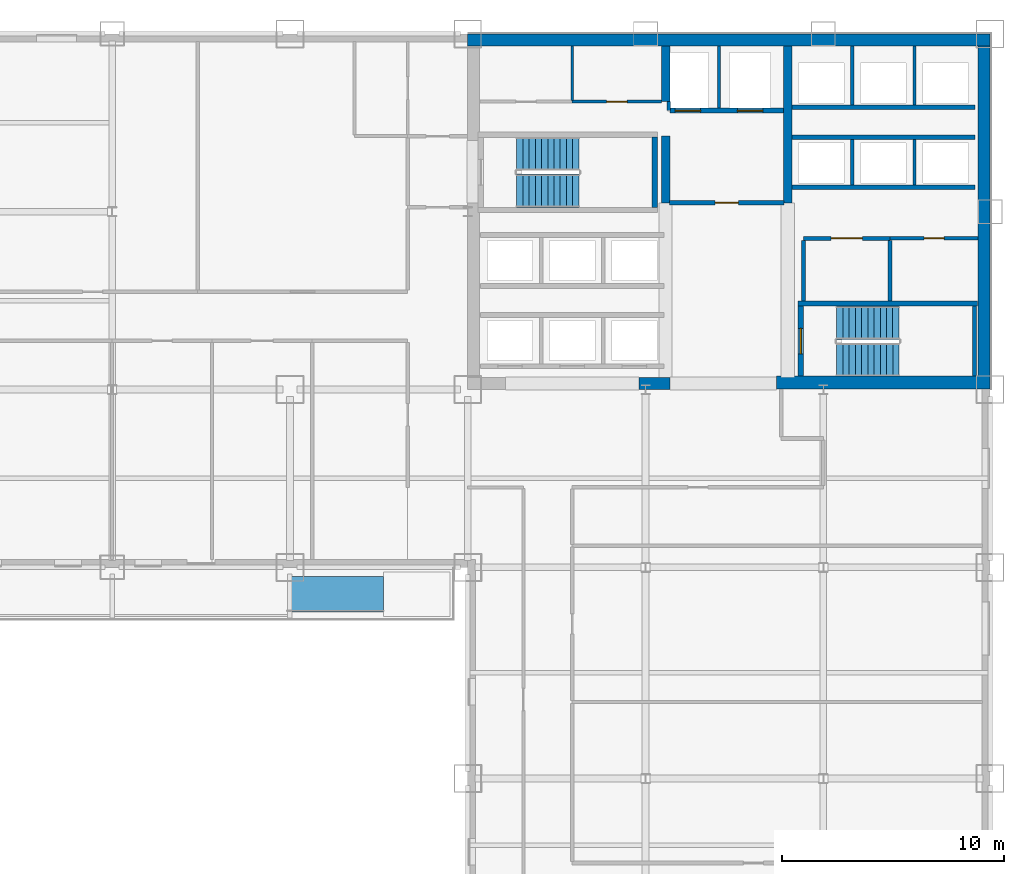
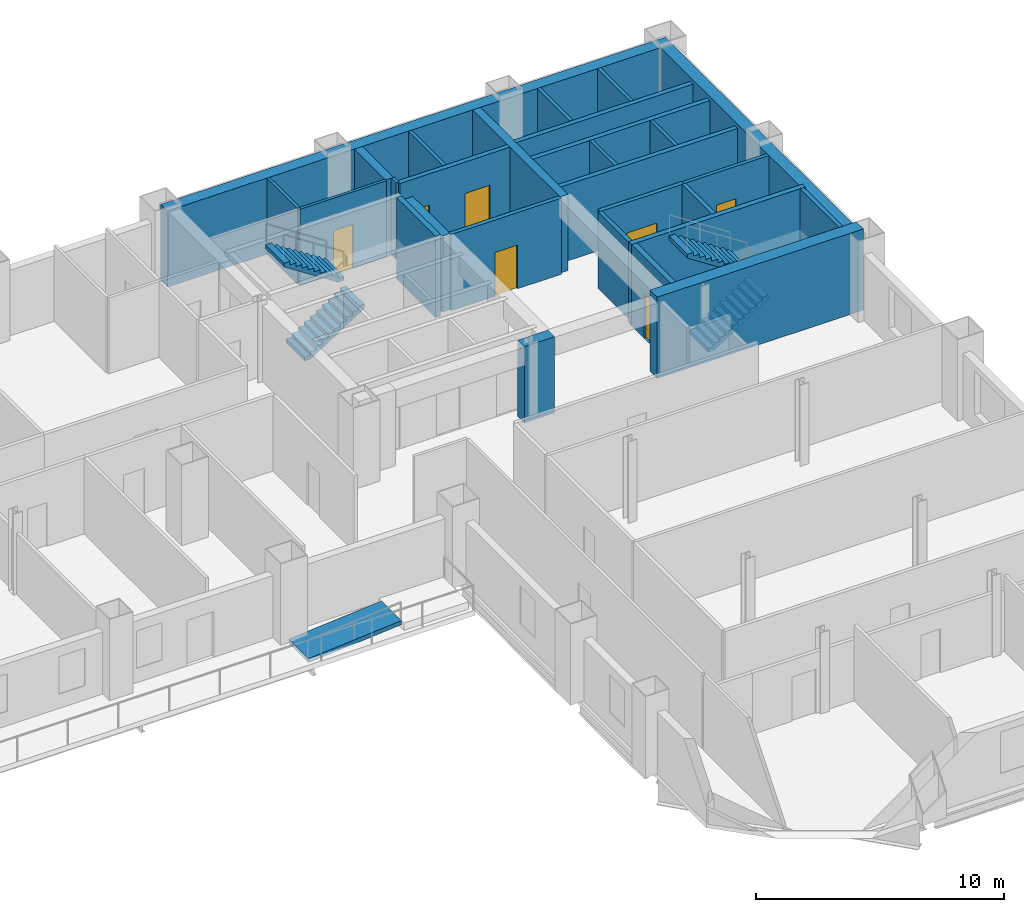
# One storey, part 7 of 9: 28 walls, 7 doors, 4 stair flights, 1 ramp flight, 7 openings, 3 elements without a shape of their own.
"""IFC4 building model written with IfcOpenShell, lengths in metres."""

from ifc_helpers import new_model, si_unit, direction, frame, frame_2d, origin, place, context, subcontext, project, spatial, polyline, rectangle, outline, extrude, material, layer, layer_set, type_object, element, fill, aggregate, save


model = new_model("IFC4")

# Units and contexts
model_context = context("Model", 3, precision=1e-05, world=origin(), true_north=direction((0.0, 1.0)))
body_context = subcontext(model_context, "Body", "Model", "MODEL_VIEW")
ifc_project = project(units=[si_unit("LENGTHUNIT", "METRE"), si_unit("AREAUNIT", "SQUARE_METRE"), si_unit("VOLUMEUNIT", "CUBIC_METRE"), si_unit("PLANEANGLEUNIT", "RADIAN"), si_unit("MASSUNIT", "GRAM", prefix="KILO")], contexts=[model_context])

# Site, building, storey
site_placement = place(None, origin())
site = spatial("IfcSite", under=ifc_project, at=site_placement, CompositionType="ELEMENT")
building_placement = place(site_placement, origin())
building = spatial("IfcBuilding", under=site, at=building_placement, Name="Qianrong Seaharbour Tower", CompositionType="ELEMENT")
storey_placement = place(building_placement, frame((0.0, 0.0, 100.199951171875)))
storey = spatial("IfcBuildingStorey", under=building, at=storey_placement, Name="L24", CompositionType="ELEMENT", Elevation=100.199951171875)

# Walls
ifc_material_1 = material(Name="Concrete C70/85", Category="concrete")
ifc_layer_1 = layer(ifc_material_1, 0.5400390625)
ifc_layer_set_1 = layer_set([ifc_layer_1], Name="Concrete C70/85")
wall_type_1 = type_object("IfcWallType", Name="WALL-CORE-540", PredefinedType="SHEAR", material=ifc_layer_set_1)
wall_1_placement = place(storey_placement, frame((40.5, 51.72998046875, 0.0), z_axis=(0.0, 0.0, 1.0), x_axis=(1.0, 0.0, 0.0)))
element("IfcWall", 1, at=wall_1_placement, inside=storey, type_object=wall_type_1, Name="L24 North Core Shear Wall", PredefinedType="SHEAR", context=body_context, shape_type="SweptSolid", body=[
    extrude(rectangle(XDim=23.5, YDim=0.5400390625, at=frame_2d((11.75, 0.0))), origin(), (0.0, 0.0, 1.0), 3.75),
])
wall_2_placement = place(storey_placement, frame((63.72998046875, 36.320068359375, 0.0), z_axis=(0.0, 0.0, 1.0), x_axis=(0.0, 1.0, 0.0)))
element("IfcWall", 2, at=wall_2_placement, inside=storey, type_object=wall_type_1, Name="L24 East Core Shear Wall", PredefinedType="SHEAR", context=body_context, shape_type="SweptSolid", body=[
    extrude(rectangle(XDim=15.139892578125, YDim=0.5400390625, at=frame_2d((7.56982421875, 0.0))), origin(), (0.0, 0.0, 1.0), 3.75),
])
wall_3_placement = place(storey_placement, frame((48.199951171875, 36.27001953125, 0.0), z_axis=(0.0, 0.0, 1.0), x_axis=(1.0, 0.0, 0.0)))
element("IfcWall", 3, at=wall_3_placement, inside=storey, type_object=wall_type_1, Name="L24 South Core Shear Wall S2", PredefinedType="SHEAR", context=body_context, shape_type="SweptSolid", body=[
    extrude(rectangle(XDim=1.400146484375, YDim=0.5400390625, at=frame_2d((0.7001953125, 0.0))), origin(), (0.0, 0.0, 1.0), 3.75),
])
ifc_layer_2 = layer(ifc_material_1, 0.580078125)
ifc_layer_set_2 = layer_set([ifc_layer_2], Name="Concrete C70/85")
wall_type_2 = type_object("IfcWallType", Name="WALL-CORE-580", PredefinedType="SHEAR", material=ifc_layer_set_2)
wall_4_placement = place(storey_placement, frame((54.39990234375, 36.320068359375, 0.0), z_axis=(0.0, 0.0, 1.0), x_axis=(1.0, 0.0, 0.0)))
element("IfcWall", 4, at=wall_4_placement, inside=storey, type_object=wall_type_2, Name="L24 South Core Shear Wall S3", PredefinedType="SHEAR", context=body_context, shape_type="SweptSolid", body=[
    extrude(rectangle(XDim=9.60009765625, YDim=0.580078125, at=frame_2d((4.800048828125, 0.0))), origin(), (0.0, 0.0, 1.0), 4.0),
])
ifc_material_2 = material(Name="Concrete C60/75", Category="concrete")
ifc_layer_3 = layer(ifc_material_2, 0.3798828125)
ifc_layer_set_3 = layer_set([ifc_layer_3], Name="Concrete C60/75")
wall_type_3 = type_object("IfcWallType", Name="WALL-CORE-INT-380", PredefinedType="SHEAR", material=ifc_layer_set_3)
wall_5_placement = place(storey_placement, frame((49.39990234375, 44.39990234375, 0.0), z_axis=(0.0, 0.0, 1.0), x_axis=(0.0, 1.0, 0.0)))
element("IfcWall", 5, at=wall_5_placement, inside=storey, type_object=wall_type_3, Name="L24 Internal Core Shear Wall IW1N1", PredefinedType="SHEAR", context=body_context, shape_type="SweptSolid", body=[
    extrude(rectangle(XDim=3.0, YDim=0.3798828125, at=frame_2d((1.5, 0.0))), origin(), (0.0, 0.0, 1.0), 3.75),
])
wall_6_placement = place(storey_placement, frame((49.39990234375, 48.949951171875, 0.0), z_axis=(0.0, 0.0, 1.0), x_axis=(0.0, 1.0, 0.0)))
element("IfcWall", 6, at=wall_6_placement, inside=storey, type_object=wall_type_3, Name="L24 Internal Core Shear Wall IW1N2", PredefinedType="SHEAR", context=body_context, shape_type="SweptSolid", body=[
    extrude(rectangle(XDim=2.510009765625, YDim=0.3798828125, at=frame_2d((1.2548828125, 0.0))), origin(), (0.0, 0.0, 1.0), 3.75),
])
wall_7_placement = place(storey_placement, frame((54.89990234375, 44.39990234375, 0.0), z_axis=(0.0, 0.0, 1.0), x_axis=(0.0, 1.0, 0.0)))
element("IfcWall", 7, at=wall_7_placement, inside=storey, type_object=wall_type_3, Name="L24 Internal Core Shear Wall IW2N", PredefinedType="SHEAR", context=body_context, shape_type="SweptSolid", body=[
    extrude(rectangle(XDim=7.06005859375, YDim=0.3798828125, at=frame_2d((3.530029296875, 0.0))), origin(), (0.0, 0.0, 1.0), 3.75),
])

# Wall, opening, door
ifc_material_3 = material(Name="Fire-rated acoustic gypsum board partition")
ifc_layer_4 = layer(ifc_material_3, 0.1650390625)
ifc_layer_set_4 = layer_set([ifc_layer_4], Name="Fire-rated acoustic gypsum board partition")
wall_type_4 = type_object("IfcWallType", Name="WALL-CORR-PART-165", PredefinedType="PARTITIONING", material=ifc_layer_set_4)
wall_8_placement = place(storey_placement, frame((63.4599609375, 42.800048828125, 0.0), z_axis=(0.0, 0.0, 1.0), x_axis=(-1.0, 0.0, 0.0)))
wall_8 = element("IfcWall", 8, at=wall_8_placement, inside=storey, type_object=wall_type_4, Name="L24 Interior Partition Wall 012", PredefinedType="PARTITIONING", context=body_context, shape_type="SweptSolid", body=[
    extrude(rectangle(XDim=3.9599609375, YDim=0.1650390625, at=frame_2d((1.97998046875, 0.0))), origin(), (0.0, 0.0, 1.0), 3.75),
])
opening_1_placement = place(wall_8_placement, frame((1.530029296875, 0.0, 0.0)))
opening_1 = element("IfcOpeningElement", 9, at=opening_1_placement, cuts=wall_8, Name="Opening DS-01", PredefinedType="OPENING", context=body_context, shape_type="SweptSolid", body=[
    extrude(rectangle(XDim=0.89990234375, YDim=2.14990234375, at=frame_2d((0.449951171875, 1.074951171875))), frame((0.0, 0.092529296875, 0.0), z_axis=(0.0, -1.0, 0.0), x_axis=(1.0, 0.0, 0.0)), (0.0, 0.0, 1.0), 0.18505859375),
])
ifc_material_4 = material(Name="Acoustic timber and galvanized steel fire door assembly", Category="steel")
door_type_1 = type_object("IfcDoorType", Name="DOOR-STORE-900x2150", OperationType="NOTDEFINED", PredefinedType="DOOR", material=ifc_material_4)
door_1_placement = place(opening_1_placement, origin())
door_1 = element("IfcDoor", 10, at=door_1_placement, inside=storey, type_object=door_type_1, Name="L24 Cleaner Store Room Door", OperationType="SINGLE_SWING_RIGHT", OverallHeight=2.14990234375, OverallWidth=0.89990234375, PredefinedType="DOOR", context=body_context, shape_type="SweptSolid", body=[
    extrude(rectangle(XDim=0.89990234375, YDim=2.14990234375, at=frame_2d((0.449951171875, 1.074951171875))), frame((0.0, 0.02490234375, 0.0), z_axis=(0.0, -1.0, 0.0), x_axis=(1.0, 0.0, 0.0)), (0.0, 0.0, 1.0), 0.050048828125),
])
fill(opening_1, door_1)

ifc_material_5 = material(Name="Double fire-rated gypsum board acoustic partition")
ifc_layer_5 = layer(ifc_material_5, 0.18994140625)
ifc_layer_set_5 = layer_set([ifc_layer_5], Name="Double fire-rated gypsum board acoustic partition")
wall_type_5 = type_object("IfcWallType", Name="WALL-FIRE-PART-190", PredefinedType="PARTITIONING", material=ifc_layer_set_5)
wall_9_placement = place(storey_placement, frame((54.718017578125, 44.39990234375, 0.0), z_axis=(0.0, 0.0, 1.0), x_axis=(-1.0, 0.0, 0.0)))
wall_9 = element("IfcWall", 11, at=wall_9_placement, inside=storey, type_object=wall_type_5, Name="L24 Interior Partition Wall 009", PredefinedType="PARTITIONING", context=body_context, shape_type="SweptSolid", body=[
    extrude(rectangle(XDim=5.135986328125, YDim=0.18994140625, at=frame_2d((2.56787109375, 0.0))), origin(), (0.0, 0.0, 1.0), 3.75),
])
opening_2_placement = place(wall_9_placement, frame((2.04296875, 0.0, 0.0)))
opening_2 = element("IfcOpeningElement", 12, at=opening_2_placement, cuts=wall_9, Name="Opening DC-01", PredefinedType="OPENING", context=body_context, shape_type="SweptSolid", body=[
    extrude(rectangle(XDim=1.050048828125, YDim=2.14990234375, at=frame_2d((0.52490234375, 1.074951171875))), frame((0.0, 0.10498046875, 0.0), z_axis=(0.0, -1.0, 0.0), x_axis=(1.0, 0.0, 0.0)), (0.0, 0.0, 1.0), 0.2099609375),
])
door_type_2 = type_object("IfcDoorType", Name="DOOR-CORR-FD60-1050x2150", OperationType="NOTDEFINED", PredefinedType="DOOR", material=ifc_material_4)
door_2_placement = place(opening_2_placement, origin())
door_2 = element("IfcDoor", 13, at=door_2_placement, inside=storey, type_object=door_type_2, Name="L24 Firefighting Lift Lobby Door", OperationType="SINGLE_SWING_LEFT", OverallHeight=2.14990234375, OverallWidth=1.050048828125, PredefinedType="DOOR", context=body_context, shape_type="SweptSolid", body=[
    extrude(rectangle(XDim=1.050048828125, YDim=2.14990234375, at=frame_2d((0.52490234375, 1.074951171875))), frame((0.0, 0.02490234375, 0.0), z_axis=(0.0, -1.0, 0.0), x_axis=(1.0, 0.0, 0.0)), (0.0, 0.0, 1.0), 0.050048828125),
])
fill(opening_2, door_2)

# Wall
wall_10_placement = place(storey_placement, frame((55.60009765625, 42.712890625, 0.0), z_axis=(0.0, 0.0, 1.0), x_axis=(0.0, -1.0, 0.0)))
element("IfcWall", 14, at=wall_10_placement, inside=storey, type_object=wall_type_5, Name="L24 Interior Partition Wall 010", PredefinedType="PARTITIONING", context=body_context, shape_type="SweptSolid", body=[
    extrude(rectangle(XDim=2.73095703125, YDim=0.18994140625, at=frame_2d((1.365478515625, 0.0))), origin(), (0.0, 0.0, 1.0), 3.75),
])

# Wall, opening, door
wall_11_placement = place(storey_placement, frame((59.5, 42.800048828125, 0.0), z_axis=(0.0, 0.0, 1.0), x_axis=(-1.0, 0.0, 0.0)))
wall_11 = element("IfcWall", 15, at=wall_11_placement, inside=storey, type_object=wall_type_5, Name="L24 Interior Partition Wall 011", PredefinedType="PARTITIONING", context=body_context, shape_type="SweptSolid", body=[
    extrude(rectangle(XDim=3.89990234375, YDim=0.18994140625, at=frame_2d((1.949951171875, 0.0))), origin(), (0.0, 0.0, 1.0), 3.75),
])
opening_3_placement = place(wall_11_placement, frame((1.25, 0.0, 0.0)))
opening_3 = element("IfcOpeningElement", 16, at=opening_3_placement, cuts=wall_11, Name="Opening DP-01", PredefinedType="OPENING", context=body_context, shape_type="SweptSolid", body=[
    extrude(rectangle(XDim=1.39990234375, YDim=2.25, at=frame_2d((0.699951171875, 1.125))), frame((0.0, 0.10498046875, 0.0), z_axis=(0.0, -1.0, 0.0), x_axis=(1.0, 0.0, 0.0)), (0.0, 0.0, 1.0), 0.2099609375),
])
door_type_3 = type_object("IfcDoorType", Name="DOOR-PLANT-PAIR-1400x2250", OperationType="DOUBLE_DOOR_SINGLE_SWING", PredefinedType="DOOR", material=ifc_material_4)
door_3_placement = place(opening_3_placement, origin())
door_3 = element("IfcDoor", 17, at=door_3_placement, inside=storey, type_object=door_type_3, Name="L24 Electrical Substation Door", OperationType="DOUBLE_DOOR_SINGLE_SWING", OverallHeight=2.25, OverallWidth=1.39990234375, PredefinedType="DOOR", context=body_context, shape_type="SweptSolid", body=[
    extrude(rectangle(XDim=1.39990234375, YDim=2.25, at=frame_2d((0.699951171875, 1.125))), frame((0.0, 0.02490234375, 0.0), z_axis=(0.0, -1.0, 0.0), x_axis=(1.0, 0.0, 0.0)), (0.0, 0.0, 1.0), 0.050048828125),
])
fill(opening_3, door_3)

# Walls
wall_12_placement = place(storey_placement, frame((59.5, 42.712890625, 0.0), z_axis=(0.0, 0.0, 1.0), x_axis=(0.0, -1.0, 0.0)))
element("IfcWall", 18, at=wall_12_placement, inside=storey, type_object=wall_type_5, Name="L24 Interior Partition Wall 014", PredefinedType="PARTITIONING", context=body_context, shape_type="SweptSolid", body=[
    extrude(rectangle(XDim=2.73095703125, YDim=0.18994140625, at=frame_2d((1.365478515625, 0.0))), origin(), (0.0, 0.0, 1.0), 3.75),
])
ifc_material_6 = material(Name="Fire-rated gypsum board on steel studs", Category="steel")
ifc_layer_6 = layer(ifc_material_6, 0.14990234375)
ifc_layer_set_6 = layer_set([ifc_layer_6], Name="Fire-rated gypsum board on steel studs")
wall_type_6 = type_object("IfcWallType", Name="WALL-SHAFT-DIV-150", PredefinedType="PARTITIONING", material=ifc_layer_set_6)
wall_13_placement = place(storey_placement, frame((51.800048828125, 48.669921875, 0.0), z_axis=(0.0, 0.0, 1.0), x_axis=(0.0, 1.0, 0.0)))
element("IfcWall", 19, at=wall_13_placement, inside=storey, type_object=wall_type_6, Name="L24 Firefighting Lift Shaft Divider Wall", PredefinedType="PARTITIONING", context=body_context, shape_type="SweptSolid", body=[
    extrude(rectangle(XDim=2.7900390625, YDim=0.14990234375, at=frame_2d((1.39501953125, 0.0))), origin(), (0.0, 0.0, 1.0), 3.75),
])
wall_14_placement = place(storey_placement, frame((49.550048828125, 48.550048828125, 0.0), z_axis=(0.0, 0.0, 1.0), x_axis=(0.0, 1.0, 0.0)))
element("IfcWall", 20, at=wall_14_placement, inside=storey, type_object=wall_type_6, Name="L24 Firefighting Lift Shaft West Return Wall", PredefinedType="PARTITIONING", context=body_context, shape_type="SweptSolid", body=[
    extrude(rectangle(XDim=0.39990234375, YDim=0.14990234375, at=frame_2d((0.199951171875, 0.0))), origin(), (0.0, 0.0, 1.0), 3.75),
])
for number, where, z_axis, x_axis, name in (
    (21, (57.800048828125, 45.2099609375, 0.0), (0.0, 0.0, 1.0), (0.0, 1.0, 0.0), "L24 P3 Lift Hoistway Divider 2"),
    (22, (60.60009765625, 45.2099609375, 0.0), (0.0, 0.0, 1.0), (0.0, 1.0, 0.0), "L24 P3 Lift Hoistway Divider 3"),
):
    element("IfcWall", number, at=place(storey_placement, frame(where, z_axis=z_axis, x_axis=x_axis)), inside=storey, type_object=wall_type_6, Name=name, PredefinedType="PARTITIONING", context=body_context, shape_type="SweptSolid", body=[
        extrude(rectangle(XDim=2.030029296875, YDim=0.14990234375, at=frame_2d((1.01513671875, 0.0))), origin(), (0.0, 0.0, 1.0), 3.75),
    ])
for number, where, z_axis, x_axis, name in (
    (23, (57.800048828125, 48.81005859375, 0.0), (0.0, 0.0, 1.0), (0.0, 1.0, 0.0), "L24 P4 Lift Hoistway Divider 2"),
    (24, (60.60009765625, 48.81005859375, 0.0), (0.0, 0.0, 1.0), (0.0, 1.0, 0.0), "L24 P4 Lift Hoistway Divider 3"),
):
    element("IfcWall", number, at=place(storey_placement, frame(where, z_axis=z_axis, x_axis=x_axis)), inside=storey, type_object=wall_type_6, Name=name, PredefinedType="PARTITIONING", context=body_context, shape_type="SweptSolid", body=[
        extrude(rectangle(XDim=2.64990234375, YDim=0.14990234375, at=frame_2d((1.324951171875, 0.0))), origin(), (0.0, 0.0, 1.0), 3.75),
    ])

# Wall, openings, doors
ifc_layer_7 = layer(ifc_material_6, 0.219970703125)
ifc_layer_set_7 = layer_set([ifc_layer_7], Name="Fire-rated gypsum board on steel studs")
wall_type_7 = type_object("IfcWallType", Name="WALL-SHAFT-GYP220", PredefinedType="PARTITIONING", material=ifc_layer_set_7)
wall_15_placement = place(storey_placement, frame((54.7099609375, 48.550048828125, 0.0), z_axis=(0.0, 0.0, 1.0), x_axis=(-1.0, 0.0, 0.0)))
wall_15 = element("IfcWall", 25, at=wall_15_placement, inside=storey, type_object=wall_type_7, Name="L24 Firefighting Lift Shaft Front Wall", PredefinedType="PARTITIONING", context=body_context, shape_type="SweptSolid", body=[
    extrude(rectangle(XDim=5.119873046875, YDim=0.219970703125, at=frame_2d((2.56005859375, 0.0))), origin(), (0.0, 0.0, 1.0), 3.75),
])
opening_4_placement = place(wall_15_placement, frame((3.735107421875, 0.0, 0.0)))
opening_4 = element("IfcOpeningElement", 26, at=opening_4_placement, cuts=wall_15, Name="Opening LD-01", PredefinedType="OPENING", context=body_context, shape_type="SweptSolid", body=[
    extrude(rectangle(XDim=1.14990234375, YDim=2.199951171875, at=frame_2d((0.574951171875, 1.10009765625))), frame((0.0, 0.1201171875, 0.0), z_axis=(0.0, -1.0, 0.0), x_axis=(1.0, 0.0, 0.0)), (0.0, 0.0, 1.0), 0.239990234375),
])
opening_5_placement = place(wall_15_placement, frame((0.93505859375, 0.0, 0.0)))
opening_5 = element("IfcOpeningElement", 27, at=opening_5_placement, cuts=wall_15, Name="Opening LD-01", PredefinedType="OPENING", context=body_context, shape_type="SweptSolid", body=[
    extrude(rectangle(XDim=1.14990234375, YDim=2.199951171875, at=frame_2d((0.574951171875, 1.10009765625))), frame((0.0, 0.1201171875, 0.0), z_axis=(0.0, -1.0, 0.0), x_axis=(1.0, 0.0, 0.0)), (0.0, 0.0, 1.0), 0.239990234375),
])
ifc_material_7 = material(Name="Stainless steel SUS316L bi-parting lift landing door", Category="steel")
door_type_4 = type_object("IfcDoorType", Name="DOOR-LIFT-FF-1150x2200", OperationType="DOUBLE_DOOR_SLIDING", PredefinedType="DOOR", material=ifc_material_7)
door_4_placement = place(opening_4_placement, origin())
door_4 = element("IfcDoor", 28, at=door_4_placement, inside=storey, type_object=door_type_4, Name="L24 FL-1 Firefighting Lift Landing Door", OperationType="DOUBLE_DOOR_SLIDING", OverallHeight=2.199951171875, OverallWidth=1.14990234375, PredefinedType="DOOR", context=body_context, shape_type="SweptSolid", body=[
    extrude(rectangle(XDim=1.14990234375, YDim=2.199951171875, at=frame_2d((0.574951171875, 1.10009765625))), frame((0.0, 0.02490234375, 0.0), z_axis=(0.0, -1.0, 0.0), x_axis=(1.0, 0.0, 0.0)), (0.0, 0.0, 1.0), 0.050048828125),
])
fill(opening_4, door_4)
door_5_placement = place(opening_5_placement, origin())
door_5 = element("IfcDoor", 29, at=door_5_placement, inside=storey, type_object=door_type_4, Name="L24 FL-2 Firefighting Lift Landing Door", OperationType="DOUBLE_DOOR_SLIDING", OverallHeight=2.199951171875, OverallWidth=1.14990234375, PredefinedType="DOOR", context=body_context, shape_type="SweptSolid", body=[
    extrude(rectangle(XDim=1.14990234375, YDim=2.199951171875, at=frame_2d((0.574951171875, 1.10009765625))), frame((0.0, 0.02490234375, 0.0), z_axis=(0.0, -1.0, 0.0), x_axis=(1.0, 0.0, 0.0)), (0.0, 0.0, 1.0), 0.050048828125),
])
fill(opening_5, door_5)

# Walls
for number, where, z_axis, x_axis, name in (
    (30, (63.320068359375, 45.10009765625, 0.0), (0.0, 0.0, 1.0), (-1.0, 0.0, 0.0), "L24 P3 Lift Hoistway Front Wall"),
    (31, (55.080078125, 47.35009765625, 0.0), (0.0, 0.0, 1.0), (1.0, 0.0, 0.0), "L24 P3 Lift Hoistway Back Wall"),
    (32, (63.320068359375, 48.699951171875, 0.0), (0.0, 0.0, 1.0), (-1.0, 0.0, 0.0), "L24 P4 Lift Hoistway Front Wall"),
):
    element("IfcWall", number, at=place(storey_placement, frame(where, z_axis=z_axis, x_axis=x_axis)), inside=storey, type_object=wall_type_7, Name=name, PredefinedType="PARTITIONING", context=body_context, shape_type="SweptSolid", body=[
        extrude(rectangle(XDim=8.239990234375, YDim=0.219970703125, at=frame_2d((4.1201171875, 0.0))), origin(), (0.0, 0.0, 1.0), 3.75),
    ])
ifc_material_8 = material(Name="Concrete C50/60", Category="concrete")
ifc_layer_8 = layer(ifc_material_8, 0.239990234375)
ifc_layer_set_8 = layer_set([ifc_layer_8], Name="Concrete C50/60")
wall_type_8 = type_object("IfcWallType", Name="WALL-SHAFT-RC240", PredefinedType="SOLIDWALL", material=ifc_layer_set_8)
wall_16_placement = place(storey_placement, frame((48.919921875, 44.199951171875, 0.0), z_axis=(0.0, 0.0, 1.0), x_axis=(0.0, 1.0, 0.0)))
element("IfcWall", 33, at=wall_16_placement, inside=storey, type_object=wall_type_8, Name="L24 ST-1 Structural Stair Core Wall E", PredefinedType="SOLIDWALL", context=body_context, shape_type="SweptSolid", body=[
    extrude(rectangle(XDim=3.150146484375, YDim=0.239990234375, at=frame_2d((1.5751953125, 0.0))), origin(), (0.0, 0.0, 1.0), 4.0),
])
wall_17_placement = place(storey_placement, frame((55.360107421875, 39.8701171875, 0.0), z_axis=(0.0, 0.0, 1.0), x_axis=(1.0, 0.0, 0.0)))
element("IfcWall", 34, at=wall_17_placement, inside=storey, type_object=wall_type_8, Name="L24 ST-2 Structural Stair Core Wall N", PredefinedType="SOLIDWALL", context=body_context, shape_type="SweptSolid", body=[
    extrude(rectangle(XDim=8.079833984375, YDim=0.239990234375, at=frame_2d((4.0400390625, 0.0))), origin(), (0.0, 0.0, 1.0), 4.0),
])

# Wall, opening, door
wall_18_placement = place(storey_placement, frame((55.47998046875, 39.75, 0.0), z_axis=(0.0, 0.0, 1.0), x_axis=(0.0, -1.0, 0.0)))
wall_18 = element("IfcWall", 35, at=wall_18_placement, inside=storey, type_object=wall_type_8, Name="L24 ST-2 Structural Stair Core Wall W", PredefinedType="SOLIDWALL", context=body_context, shape_type="SweptSolid", body=[
    extrude(rectangle(XDim=3.14990234375, YDim=0.239990234375, at=frame_2d((1.574951171875, 0.0))), origin(), (0.0, 0.0, 1.0), 4.0),
])
opening_6_placement = place(wall_18_placement, frame((1.0, 0.0, 0.0)))
opening_6 = element("IfcOpeningElement", 36, at=opening_6_placement, cuts=wall_18, Name="Opening SD-01", PredefinedType="OPENING", context=body_context, shape_type="SweptSolid", body=[
    extrude(rectangle(XDim=1.14990234375, YDim=2.199951171875, at=frame_2d((0.574951171875, 1.10009765625))), frame((0.0, 0.1298828125, 0.0), z_axis=(0.0, -1.0, 0.0), x_axis=(1.0, 0.0, 0.0)), (0.0, 0.0, 1.0), 0.260009765625),
])
door_type_5 = type_object("IfcDoorType", Name="DOOR-STAIR-FD60-1150x2200", OperationType="NOTDEFINED", PredefinedType="DOOR", material=ifc_material_4)
door_6_placement = place(opening_6_placement, origin())
door_6 = element("IfcDoor", 37, at=door_6_placement, inside=storey, type_object=door_type_5, Name="L24 ST-2 Protected Stair Door", OperationType="SINGLE_SWING_LEFT", OverallHeight=2.199951171875, OverallWidth=1.14990234375, PredefinedType="DOOR", context=body_context, shape_type="SweptSolid", body=[
    extrude(rectangle(XDim=1.14990234375, YDim=2.199951171875, at=frame_2d((0.574951171875, 1.10009765625))), frame((0.0, 0.02490234375, 0.0), z_axis=(0.0, -1.0, 0.0), x_axis=(1.0, 0.0, 0.0)), (0.0, 0.0, 1.0), 0.050048828125),
])
fill(opening_6, door_6)

# Wall
wall_19_placement = place(storey_placement, frame((63.2900390625, 36.60009765625, 0.0), z_axis=(0.0, 0.0, 1.0), x_axis=(0.0, 1.0, 0.0)))
element("IfcWall", 38, at=wall_19_placement, inside=storey, type_object=wall_type_8, Name="L24 ST-2 Structural Stair Core Wall E", PredefinedType="SOLIDWALL", context=body_context, shape_type="SweptSolid", body=[
    extrude(rectangle(XDim=3.14990234375, YDim=0.179931640625, at=frame_2d((1.574951171875, 0.0))), origin(), (0.0, 0.0, 1.0), 4.0),
])

# Wall, opening, door
ifc_material_9 = material(Name="Water-resistant cement board sanitary partition")
ifc_layer_9 = layer(ifc_material_9, 0.1298828125)
ifc_layer_set_9 = layer_set([ifc_layer_9], Name="Water-resistant cement board sanitary partition")
wall_type_9 = type_object("IfcWallType", Name="WALL-WET-PART-130", PredefinedType="PARTITIONING", material=ifc_layer_set_9)
wall_20_placement = place(storey_placement, frame((45.199951171875, 48.949951171875, 0.0), z_axis=(0.0, 0.0, 1.0), x_axis=(1.0, 0.0, 0.0)))
wall_20 = element("IfcWall", 39, at=wall_20_placement, inside=storey, type_object=wall_type_9, Name="L24 Interior Partition Wall 008", PredefinedType="PARTITIONING", context=body_context, shape_type="SweptSolid", body=[
    extrude(rectangle(XDim=4.01806640625, YDim=0.1298828125, at=frame_2d((2.009033203125, 0.0))), origin(), (0.0, 0.0, 1.0), 3.75),
])
opening_7_placement = place(wall_20_placement, frame((1.549072265625, 0.0, 0.0)))
opening_7 = element("IfcOpeningElement", 40, at=opening_7_placement, cuts=wall_20, Name="Opening DW-01", PredefinedType="OPENING", context=body_context, shape_type="SweptSolid", body=[
    extrude(rectangle(XDim=0.919921875, YDim=2.14990234375, at=frame_2d((0.4599609375, 1.074951171875))), frame((0.0, 0.074951171875, 0.0), z_axis=(0.0, -1.0, 0.0), x_axis=(1.0, 0.0, 0.0)), (0.0, 0.0, 1.0), 0.14990234375),
])
door_type_6 = type_object("IfcDoorType", Name="DOOR-WC-920x2150", OperationType="NOTDEFINED", PredefinedType="DOOR", material=ifc_material_4)
door_7_placement = place(opening_7_placement, origin())
door_7 = element("IfcDoor", 41, at=door_7_placement, inside=storey, type_object=door_type_6, Name="L24 Female Restroom WC Door", OperationType="SINGLE_SWING_LEFT", OverallHeight=2.14990234375, OverallWidth=0.919921875, PredefinedType="DOOR", context=body_context, shape_type="SweptSolid", body=[
    extrude(rectangle(XDim=0.919921875, YDim=2.14990234375, at=frame_2d((0.4599609375, 1.074951171875))), frame((0.0, 0.02490234375, 0.0), z_axis=(0.0, -1.0, 0.0), x_axis=(1.0, 0.0, 0.0)), (0.0, 0.0, 1.0), 0.050048828125),
])
fill(opening_7, door_7)

# Wall
wall_21_placement = place(storey_placement, frame((45.199951171875, 51.4599609375, 0.0), z_axis=(0.0, 0.0, 1.0), x_axis=(0.0, -1.0, 0.0)))
element("IfcWall", 42, at=wall_21_placement, inside=storey, type_object=wall_type_9, Name="L24 Interior Partition Wall 013", PredefinedType="PARTITIONING", context=body_context, shape_type="SweptSolid", body=[
    extrude(rectangle(XDim=2.452880859375, YDim=0.1298828125, at=frame_2d((1.2265625, 0.0))), origin(), (0.0, 0.0, 1.0), 3.75),
])

# Stair, stair flights
stair_type = type_object("IfcStairType", Name="STAIR-DOGLEG-1500-R22", PredefinedType="HALF_TURN_STAIR", material=ifc_material_8)
stair_1_placement = place(storey_placement, origin())
stair_1 = element("IfcStair", 43, at=stair_1_placement, inside=storey, type_object=stair_type, Name="L24 Protected Escape Stair ST-1", PredefinedType="HALF_TURN_STAIR")
stair_flight_type = type_object("IfcStairFlightType", Name="FLIGHT-STR-1500-R22", PredefinedType="STRAIGHT", material=ifc_material_8)
stair_flight_1_placement = place(storey_placement, frame((42.699951171875, 44.949951171875, 0.0), z_axis=(0.0, 0.0, 1.0), x_axis=(1.0, 0.0, 0.0)))
stair_flight_1 = element("IfcStairFlight", 44, at=stair_flight_1_placement, type_object=stair_flight_type, Name="ST-1 flight 1", NumberOfRisers=11, NumberOfTreads=10, PredefinedType="STRAIGHT", RiserHeight=0.181818182, TreadLength=0.28, context=body_context, shape_type="SweptSolid", body=[
    extrude(outline(polyline([(0.0, 0.0), (0.0, 0.181884765625), (0.280029296875, 0.181884765625), (0.280029296875, 0.363525390625), (0.56005859375, 0.363525390625), (0.56005859375, 0.54541015625), (0.840087890625, 0.54541015625), (0.840087890625, 0.727294921875), (1.1201171875, 0.727294921875), (1.1201171875, 0.9091796875), (1.39990234375, 0.9091796875), (1.39990234375, 1.0908203125), (1.679931640625, 1.0908203125), (1.679931640625, 1.272705078125), (1.9599609375, 1.272705078125), (1.9599609375, 1.45458984375), (2.239990234375, 1.45458984375), (2.239990234375, 1.636474609375), (2.52001953125, 1.636474609375), (2.52001953125, 1.818115234375), (2.800048828125, 1.818115234375), (2.800048828125, 2.0), (2.800048828125, 1.62744140625), (0.293701171875, 0.0), (0.0, 0.0)])), frame((0.0, 0.75, 0.0), z_axis=(0.0, -1.0, 0.0), x_axis=(1.0, 0.0, 0.0)), (0.0, 0.0, 1.0), 1.5),
])
stair_flight_2_placement = place(storey_placement, frame((45.5, 46.60009765625, 2.0), z_axis=(0.0, 0.0, 1.0), x_axis=(-1.0, 0.0, 0.0)))
stair_flight_2 = element("IfcStairFlight", 45, at=stair_flight_2_placement, type_object=stair_flight_type, Name="ST-1 flight 2", NumberOfRisers=11, NumberOfTreads=10, PredefinedType="STRAIGHT", RiserHeight=0.181818182, TreadLength=0.28, context=body_context, shape_type="SweptSolid", body=[
    extrude(outline(polyline([(0.0, 0.0), (0.0, 0.181884765625), (0.280029296875, 0.181884765625), (0.280029296875, 0.363525390625), (0.56005859375, 0.363525390625), (0.56005859375, 0.54541015625), (0.840087890625, 0.54541015625), (0.840087890625, 0.727294921875), (1.1201171875, 0.727294921875), (1.1201171875, 0.9091796875), (1.39990234375, 0.9091796875), (1.39990234375, 1.0908203125), (1.679931640625, 1.0908203125), (1.679931640625, 1.272705078125), (1.9599609375, 1.272705078125), (1.9599609375, 1.45458984375), (2.239990234375, 1.45458984375), (2.239990234375, 1.636474609375), (2.52001953125, 1.636474609375), (2.52001953125, 1.818115234375), (2.800048828125, 1.818115234375), (2.800048828125, 2.0), (2.800048828125, 1.62744140625), (0.293701171875, 0.0), (0.0, 0.0)])), frame((0.0, 0.75, 0.0), z_axis=(0.0, -1.0, 0.0), x_axis=(1.0, 0.0, 0.0)), (0.0, 0.0, 1.0), 1.5),
])
aggregate(stair_1, [stair_flight_1, stair_flight_2])

stair_2_placement = place(storey_placement, origin())
stair_2 = element("IfcStair", 46, at=stair_2_placement, inside=storey, type_object=stair_type, Name="L24 Protected Escape Stair ST-2", PredefinedType="HALF_TURN_STAIR")
stair_flight_3_placement = place(storey_placement, frame((57.10009765625, 37.35009765625, 0.0), z_axis=(0.0, 0.0, 1.0), x_axis=(1.0, 0.0, 0.0)))
stair_flight_3 = element("IfcStairFlight", 47, at=stair_flight_3_placement, type_object=stair_flight_type, Name="ST-2 flight 1", NumberOfRisers=11, NumberOfTreads=10, PredefinedType="STRAIGHT", RiserHeight=0.181818182, TreadLength=0.28, context=body_context, shape_type="SweptSolid", body=[
    extrude(outline(polyline([(0.0, 0.0), (0.0, 0.181884765625), (0.280029296875, 0.181884765625), (0.280029296875, 0.363525390625), (0.56005859375, 0.363525390625), (0.56005859375, 0.54541015625), (0.840087890625, 0.54541015625), (0.840087890625, 0.727294921875), (1.1201171875, 0.727294921875), (1.1201171875, 0.9091796875), (1.39990234375, 0.9091796875), (1.39990234375, 1.0908203125), (1.679931640625, 1.0908203125), (1.679931640625, 1.272705078125), (1.9599609375, 1.272705078125), (1.9599609375, 1.45458984375), (2.239990234375, 1.45458984375), (2.239990234375, 1.636474609375), (2.52001953125, 1.636474609375), (2.52001953125, 1.818115234375), (2.800048828125, 1.818115234375), (2.800048828125, 2.0), (2.800048828125, 1.62744140625), (0.293701171875, 0.0), (0.0, 0.0)])), frame((0.0, 0.75, 0.0), z_axis=(0.0, -1.0, 0.0), x_axis=(1.0, 0.0, 0.0)), (0.0, 0.0, 1.0), 1.5),
])
stair_flight_4_placement = place(storey_placement, frame((59.89990234375, 39.0, 2.0), z_axis=(0.0, 0.0, 1.0), x_axis=(-1.0, 0.0, 0.0)))
stair_flight_4 = element("IfcStairFlight", 48, at=stair_flight_4_placement, type_object=stair_flight_type, Name="ST-2 flight 2", NumberOfRisers=11, NumberOfTreads=10, PredefinedType="STRAIGHT", RiserHeight=0.181818182, TreadLength=0.28, context=body_context, shape_type="SweptSolid", body=[
    extrude(outline(polyline([(0.0, 0.0), (0.0, 0.181884765625), (0.280029296875, 0.181884765625), (0.280029296875, 0.363525390625), (0.56005859375, 0.363525390625), (0.56005859375, 0.54541015625), (0.840087890625, 0.54541015625), (0.840087890625, 0.727294921875), (1.1201171875, 0.727294921875), (1.1201171875, 0.9091796875), (1.39990234375, 0.9091796875), (1.39990234375, 1.0908203125), (1.679931640625, 1.0908203125), (1.679931640625, 1.272705078125), (1.9599609375, 1.272705078125), (1.9599609375, 1.45458984375), (2.239990234375, 1.45458984375), (2.239990234375, 1.636474609375), (2.52001953125, 1.636474609375), (2.52001953125, 1.818115234375), (2.800048828125, 1.818115234375), (2.800048828125, 2.0), (2.800048828125, 1.62744140625), (0.293701171875, 0.0), (0.0, 0.0)])), frame((0.0, 0.75, 0.0), z_axis=(0.0, -1.0, 0.0), x_axis=(1.0, 0.0, 0.0)), (0.0, 0.0, 1.0), 1.5),
])
aggregate(stair_2, [stair_flight_3, stair_flight_4])

# Ramp, ramp flight
ifc_material_10 = material(Name="White architectural precast concrete C45/55", Category="concrete")
ramp_type = type_object("IfcRampType", Name="RAMP-RIBBON-GARDEN", PredefinedType="STRAIGHT_RUN_RAMP", material=ifc_material_10)
ramp_placement = place(storey_placement, origin())
ramp = element("IfcRamp", 49, at=ramp_placement, inside=storey, type_object=ramp_type, Name="L24 Harbourfront Garden Ribbon Ramp", PredefinedType="STRAIGHT_RUN_RAMP")
ifc_layer_10 = layer(ifc_material_10, 0.199951171875)
ifc_layer_set_10 = layer_set([ifc_layer_10], Name="White architectural precast concrete C45/55")
ramp_flight_type = type_object("IfcRampFlightType", Name="RAMP-FLIGHT-GARDEN-200", PredefinedType="STRAIGHT", material=ifc_layer_set_10)
ramp_flight_placement = place(storey_placement, frame((32.3798828125, 26.800048828125, 0.0), z_axis=(0.0, 0.0, 1.0), x_axis=(1.0, 0.0, 0.0)))
ramp_flight = element("IfcRampFlight", 50, at=ramp_flight_placement, type_object=ramp_flight_type, Name="L24 Harbourfront Garden Ribbon Ramp Flight", PredefinedType="STRAIGHT", context=body_context, shape_type="SweptSolid", body=[
    extrude(outline(polyline([(0.0, 0.0), (4.320068359375, 0.360107421875), (4.320068359375, 0.16015625), (0.0, -0.199951171875), (0.0, 0.0)])), frame((0.0, 0.800048828125, 0.0), z_axis=(0.0, -1.0, 0.0), x_axis=(1.0, 0.0, 0.0)), (0.0, 0.0, 1.0), 1.60009765625),
])
aggregate(ramp, [ramp_flight])

save(model, "model.ifc")
